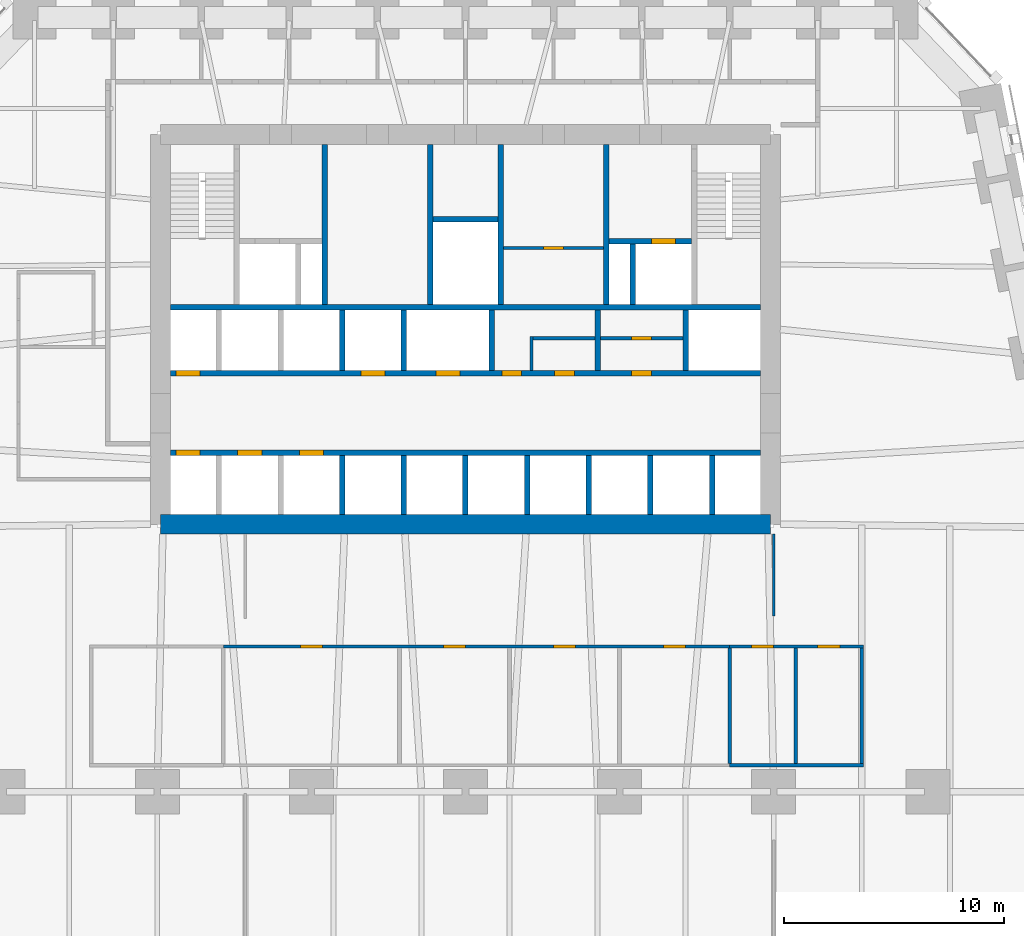
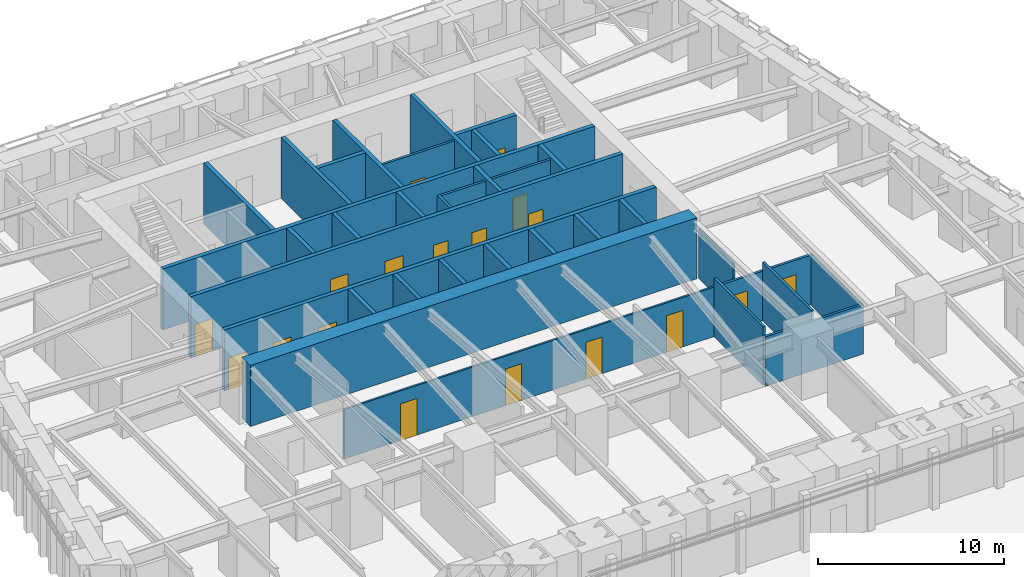
# One storey, part 13 of 18: 34 walls, 18 doors, 18 openings.
"""IFC4 building model written with IfcOpenShell, lengths in metres."""

from ifc_helpers import new_model, si_unit, direction, frame, frame_2d, origin, place, context, subcontext, project, spatial, rectangle, extrude, material, layer, layer_set, type_object, element, fill, save


model = new_model("IFC4")

# Units and contexts
model_context = context("Model", 3, precision=1e-05, world=origin(), true_north=direction((0.0, 1.0)))
body_context = subcontext(model_context, "Body", "Model", "MODEL_VIEW")
ifc_project = project(units=[si_unit("LENGTHUNIT", "METRE"), si_unit("AREAUNIT", "SQUARE_METRE"), si_unit("VOLUMEUNIT", "CUBIC_METRE"), si_unit("PLANEANGLEUNIT", "RADIAN"), si_unit("MASSUNIT", "GRAM", prefix="KILO")], contexts=[model_context])

# Site, building, storey
site_placement = place(None, origin())
site = spatial("IfcSite", under=ifc_project, at=site_placement, CompositionType="ELEMENT")
building_placement = place(site_placement, origin())
building = spatial("IfcBuilding", under=site, at=building_placement, Name="Isbrekke Arena Tower", CompositionType="ELEMENT")
storey_placement = place(building_placement, frame((0.0, 0.0, 28.0)))
storey = spatial("IfcBuildingStorey", under=building, at=storey_placement, Name="L04", CompositionType="ELEMENT", Elevation=28.0)

# Wall
ifc_material_1 = material(Name="Concrete B65 (C65/80)", Category="concrete")
ifc_layer_1 = layer(ifc_material_1, 0.89990234375)
ifc_layer_set_1 = layer_set([ifc_layer_1], Name="CW2 CORE WALL 900")
wall_type_1 = type_object("IfcWallType", Name="CW2 CORE WALL 900", PredefinedType="SHEAR", material=ifc_layer_set_1)
wall_1_placement = place(storey_placement, frame((-13.85009765625, 6.14990234375, 0.0), z_axis=(0.0, 0.0, 1.0), x_axis=(1.0, 0.0, 0.0)))
element("IfcWall", 1, at=wall_1_placement, inside=storey, type_object=wall_type_1, Name="Core wall S L04", PredefinedType="SHEAR", context=body_context, shape_type="SweptSolid", body=[
    extrude(rectangle(XDim=27.7001953125, YDim=0.89990234375, at=frame_2d((13.85009765625, 0.0))), origin(), (0.0, 0.0, 1.0), 4.0),
])

# Wall, openings, doors
ifc_material_2 = material(Name="Concrete B45 (C45/55)", Category="concrete")
ifc_layer_2 = layer(ifc_material_2, 0.25)
ifc_layer_set_2 = layer_set([ifc_layer_2], Name="CW6 SHAFT WALL 250")
wall_type_2 = type_object("IfcWallType", Name="CW6 SHAFT WALL 250", PredefinedType="SHEAR", material=ifc_layer_set_2)
wall_2_placement = place(storey_placement, frame((-13.39990234375, 9.39990234375, 0.0), z_axis=(0.0, 0.0, 1.0), x_axis=(1.0, 0.0, 0.0)))
wall_2 = element("IfcWall", 2, at=wall_2_placement, inside=storey, type_object=wall_type_2, Name="Core wall LS L04", PredefinedType="SHEAR", context=body_context, shape_type="SweptSolid", body=[
    extrude(rectangle(XDim=26.7998046875, YDim=0.25, at=frame_2d((13.39990234375, 0.0))), origin(), (0.0, 0.0, 1.0), 4.0),
])
opening_1_placement = place(wall_2_placement, frame((0.25, 0.0, 0.0)))
opening_1 = element("IfcOpeningElement", 3, at=opening_1_placement, cuts=wall_2, Name="Opening LD1", PredefinedType="OPENING", context=body_context, shape_type="SweptSolid", body=[
    extrude(rectangle(XDim=1.10009765625, YDim=2.10009765625, at=frame_2d((0.550048828125, 1.050048828125))), frame((0.0, 0.139892578125, 0.0), z_axis=(0.0, -1.0, 0.0), x_axis=(1.0, 0.0, 0.0)), (0.0, 0.0, 1.0), 0.27978515625),
])
opening_2_placement = place(wall_2_placement, frame((3.050048828125, 0.0, 0.0)))
opening_2 = element("IfcOpeningElement", 4, at=opening_2_placement, cuts=wall_2, Name="Opening LD1", PredefinedType="OPENING", context=body_context, shape_type="SweptSolid", body=[
    extrude(rectangle(XDim=1.10009765625, YDim=2.10009765625, at=frame_2d((0.550048828125, 1.050048828125))), frame((0.0, 0.139892578125, 0.0), z_axis=(0.0, -1.0, 0.0), x_axis=(1.0, 0.0, 0.0)), (0.0, 0.0, 1.0), 0.27978515625),
])
opening_3_placement = place(wall_2_placement, frame((5.85009765625, 0.0, 0.0)))
opening_3 = element("IfcOpeningElement", 5, at=opening_3_placement, cuts=wall_2, Name="Opening LD1", PredefinedType="OPENING", context=body_context, shape_type="SweptSolid", body=[
    extrude(rectangle(XDim=1.10009765625, YDim=2.10009765625, at=frame_2d((0.550048828125, 1.050048828125))), frame((0.0, 0.139892578125, 0.0), z_axis=(0.0, -1.0, 0.0), x_axis=(1.0, 0.0, 0.0)), (0.0, 0.0, 1.0), 0.27978515625),
])
ifc_material_3 = material(Name="Stainless steel lift landing door", Category="steel")
door_type_1 = type_object("IfcDoorType", Name="LD1 LIFT LANDING DOOR 1100 x 2100", OperationType="SLIDING_TO_LEFT", PredefinedType="DOOR", material=ifc_material_3)
door_1_placement = place(opening_1_placement, origin())
door_1 = element("IfcDoor", 6, at=door_1_placement, inside=storey, type_object=door_type_1, Name="LD1 lift landing door LA L04", OperationType="SLIDING_TO_LEFT", OverallHeight=2.10009765625, OverallWidth=1.10009765625, PredefinedType="DOOR", context=body_context, shape_type="SweptSolid", body=[
    extrude(rectangle(XDim=1.10009765625, YDim=2.10009765625, at=frame_2d((0.550048828125, 1.050048828125))), frame((0.0, 0.124755859375, 0.0), z_axis=(0.0, -1.0, 0.0), x_axis=(1.0, 0.0, 0.0)), (0.0, 0.0, 1.0), 0.24951171875),
])
fill(opening_1, door_1)
door_2_placement = place(opening_2_placement, origin())
door_2 = element("IfcDoor", 7, at=door_2_placement, inside=storey, type_object=door_type_1, Name="LD1 lift landing door LA L04", OperationType="SLIDING_TO_LEFT", OverallHeight=2.10009765625, OverallWidth=1.10009765625, PredefinedType="DOOR", context=body_context, shape_type="SweptSolid", body=[
    extrude(rectangle(XDim=1.10009765625, YDim=2.10009765625, at=frame_2d((0.550048828125, 1.050048828125))), frame((0.0, 0.124755859375, 0.0), z_axis=(0.0, -1.0, 0.0), x_axis=(1.0, 0.0, 0.0)), (0.0, 0.0, 1.0), 0.24951171875),
])
fill(opening_2, door_2)
door_3_placement = place(opening_3_placement, origin())
door_3 = element("IfcDoor", 8, at=door_3_placement, inside=storey, type_object=door_type_1, Name="LD1 lift landing door LA L04", OperationType="SLIDING_TO_LEFT", OverallHeight=2.10009765625, OverallWidth=1.10009765625, PredefinedType="DOOR", context=body_context, shape_type="SweptSolid", body=[
    extrude(rectangle(XDim=1.10009765625, YDim=2.10009765625, at=frame_2d((0.550048828125, 1.050048828125))), frame((0.0, 0.124755859375, 0.0), z_axis=(0.0, -1.0, 0.0), x_axis=(1.0, 0.0, 0.0)), (0.0, 0.0, 1.0), 0.24951171875),
])
fill(opening_3, door_3)

wall_3_placement = place(storey_placement, frame((-13.39990234375, 13.0, 0.0), z_axis=(0.0, 0.0, 1.0), x_axis=(1.0, 0.0, 0.0)))
wall_3 = element("IfcWall", 9, at=wall_3_placement, inside=storey, type_object=wall_type_2, Name="Core wall LN L04", PredefinedType="SHEAR", context=body_context, shape_type="SweptSolid", body=[
    extrude(rectangle(XDim=26.7998046875, YDim=0.25, at=frame_2d((13.39990234375, 0.0))), origin(), (0.0, 0.0, 1.0), 4.0),
])
opening_4_placement = place(wall_3_placement, frame((0.25, 0.0, 0.0)))
opening_4 = element("IfcOpeningElement", 10, at=opening_4_placement, cuts=wall_3, Name="Opening LD1", PredefinedType="OPENING", context=body_context, shape_type="SweptSolid", body=[
    extrude(rectangle(XDim=1.10009765625, YDim=2.10009765625, at=frame_2d((0.550048828125, 1.050048828125))), frame((0.0, 0.139892578125, 0.0), z_axis=(0.0, -1.0, 0.0), x_axis=(1.0, 0.0, 0.0)), (0.0, 0.0, 1.0), 0.27978515625),
])
opening_5_placement = place(wall_3_placement, frame((8.64990234375, 0.0, 0.0)))
opening_5 = element("IfcOpeningElement", 11, at=opening_5_placement, cuts=wall_3, Name="Opening LD1", PredefinedType="OPENING", context=body_context, shape_type="SweptSolid", body=[
    extrude(rectangle(XDim=1.10009765625, YDim=2.10009765625, at=frame_2d((0.550048828125, 1.050048828125))), frame((0.0, 0.139892578125, 0.0), z_axis=(0.0, -1.0, 0.0), x_axis=(1.0, 0.0, 0.0)), (0.0, 0.0, 1.0), 0.27978515625),
])
opening_6_placement = place(wall_3_placement, frame((12.050048828125, 0.0, 0.0)))
opening_6 = element("IfcOpeningElement", 12, at=opening_6_placement, cuts=wall_3, Name="Opening LD1", PredefinedType="OPENING", context=body_context, shape_type="SweptSolid", body=[
    extrude(rectangle(XDim=1.10009765625, YDim=2.10009765625, at=frame_2d((0.550048828125, 1.050048828125))), frame((0.0, 0.139892578125, 0.0), z_axis=(0.0, -1.0, 0.0), x_axis=(1.0, 0.0, 0.0)), (0.0, 0.0, 1.0), 0.27978515625),
])
opening_7_placement = place(wall_3_placement, frame((15.050048828125, 0.0, 0.0)))
opening_7 = element("IfcOpeningElement", 13, at=opening_7_placement, cuts=wall_3, Name="Opening D5", PredefinedType="OPENING", context=body_context, shape_type="SweptSolid", body=[
    extrude(rectangle(XDim=0.89990234375, YDim=2.10009765625, at=frame_2d((0.449951171875, 1.050048828125))), frame((0.0, 0.139892578125, 0.0), z_axis=(0.0, -1.0, 0.0), x_axis=(1.0, 0.0, 0.0)), (0.0, 0.0, 1.0), 0.27978515625),
])
opening_8_placement = place(wall_3_placement, frame((17.449951171875, 0.0, 0.0)))
opening_8 = element("IfcOpeningElement", 14, at=opening_8_placement, cuts=wall_3, Name="Opening D5", PredefinedType="OPENING", context=body_context, shape_type="SweptSolid", body=[
    extrude(rectangle(XDim=0.89990234375, YDim=2.10009765625, at=frame_2d((0.449951171875, 1.050048828125))), frame((0.0, 0.139892578125, 0.0), z_axis=(0.0, -1.0, 0.0), x_axis=(1.0, 0.0, 0.0)), (0.0, 0.0, 1.0), 0.27978515625),
])
opening_9_placement = place(wall_3_placement, frame((20.949951171875, 0.0, 0.0)))
opening_9 = element("IfcOpeningElement", 15, at=opening_9_placement, cuts=wall_3, Name="Opening D5", PredefinedType="OPENING", context=body_context, shape_type="SweptSolid", body=[
    extrude(rectangle(XDim=0.89990234375, YDim=2.10009765625, at=frame_2d((0.449951171875, 1.050048828125))), frame((0.0, 0.139892578125, 0.0), z_axis=(0.0, -1.0, 0.0), x_axis=(1.0, 0.0, 0.0)), (0.0, 0.0, 1.0), 0.27978515625),
])
ifc_material_4 = material(Name="Steel fire door", Category="steel")
door_type_2 = type_object("IfcDoorType", Name="D5 SERVICE DOOR 900 x 2100", OperationType="SINGLE_SWING_LEFT", PredefinedType="DOOR", material=ifc_material_4)
door_4_placement = place(opening_7_placement, origin())
door_4 = element("IfcDoor", 16, at=door_4_placement, inside=storey, type_object=door_type_2, Name="D5 communications room door L04", OperationType="SINGLE_SWING_LEFT", OverallHeight=2.10009765625, OverallWidth=0.89990234375, PredefinedType="DOOR", context=body_context, shape_type="SweptSolid", body=[
    extrude(rectangle(XDim=0.89990234375, YDim=2.10009765625, at=frame_2d((0.449951171875, 1.050048828125))), frame((0.0, 0.124755859375, 0.0), z_axis=(0.0, -1.0, 0.0), x_axis=(1.0, 0.0, 0.0)), (0.0, 0.0, 1.0), 0.24951171875),
])
fill(opening_7, door_4)
door_5_placement = place(opening_8_placement, origin())
door_5 = element("IfcDoor", 17, at=door_5_placement, inside=storey, type_object=door_type_2, Name="D5 cleaner's store door L04", OperationType="SINGLE_SWING_LEFT", OverallHeight=2.10009765625, OverallWidth=0.89990234375, PredefinedType="DOOR", context=body_context, shape_type="SweptSolid", body=[
    extrude(rectangle(XDim=0.89990234375, YDim=2.10009765625, at=frame_2d((0.449951171875, 1.050048828125))), frame((0.0, 0.124755859375, 0.0), z_axis=(0.0, -1.0, 0.0), x_axis=(1.0, 0.0, 0.0)), (0.0, 0.0, 1.0), 0.24951171875),
])
fill(opening_8, door_5)
door_6_placement = place(opening_9_placement, origin())
door_6 = element("IfcDoor", 18, at=door_6_placement, inside=storey, type_object=door_type_2, Name="D5 print room door L04", OperationType="SINGLE_SWING_LEFT", OverallHeight=2.10009765625, OverallWidth=0.89990234375, PredefinedType="DOOR", context=body_context, shape_type="SweptSolid", body=[
    extrude(rectangle(XDim=0.89990234375, YDim=2.10009765625, at=frame_2d((0.449951171875, 1.050048828125))), frame((0.0, 0.124755859375, 0.0), z_axis=(0.0, -1.0, 0.0), x_axis=(1.0, 0.0, 0.0)), (0.0, 0.0, 1.0), 0.24951171875),
])
fill(opening_9, door_6)
door_7_placement = place(opening_4_placement, origin())
door_7 = element("IfcDoor", 19, at=door_7_placement, inside=storey, type_object=door_type_1, Name="LD1 lift landing door LA L04", OperationType="SLIDING_TO_LEFT", OverallHeight=2.10009765625, OverallWidth=1.10009765625, PredefinedType="DOOR", context=body_context, shape_type="SweptSolid", body=[
    extrude(rectangle(XDim=1.10009765625, YDim=2.10009765625, at=frame_2d((0.550048828125, 1.050048828125))), frame((0.0, 0.124755859375, 0.0), z_axis=(0.0, -1.0, 0.0), x_axis=(1.0, 0.0, 0.0)), (0.0, 0.0, 1.0), 0.24951171875),
])
fill(opening_4, door_7)
door_8_placement = place(opening_5_placement, origin())
door_8 = element("IfcDoor", 20, at=door_8_placement, inside=storey, type_object=door_type_1, Name="LD1 lift landing door LA L04", OperationType="SLIDING_TO_LEFT", OverallHeight=2.10009765625, OverallWidth=1.10009765625, PredefinedType="DOOR", context=body_context, shape_type="SweptSolid", body=[
    extrude(rectangle(XDim=1.10009765625, YDim=2.10009765625, at=frame_2d((0.550048828125, 1.050048828125))), frame((0.0, 0.124755859375, 0.0), z_axis=(0.0, -1.0, 0.0), x_axis=(1.0, 0.0, 0.0)), (0.0, 0.0, 1.0), 0.24951171875),
])
fill(opening_5, door_8)
door_9_placement = place(opening_6_placement, origin())
door_9 = element("IfcDoor", 21, at=door_9_placement, inside=storey, type_object=door_type_1, Name="LD1 lift landing door LA L04", OperationType="SLIDING_TO_LEFT", OverallHeight=2.10009765625, OverallWidth=1.10009765625, PredefinedType="DOOR", context=body_context, shape_type="SweptSolid", body=[
    extrude(rectangle(XDim=1.10009765625, YDim=2.10009765625, at=frame_2d((0.550048828125, 1.050048828125))), frame((0.0, 0.124755859375, 0.0), z_axis=(0.0, -1.0, 0.0), x_axis=(1.0, 0.0, 0.0)), (0.0, 0.0, 1.0), 0.24951171875),
])
fill(opening_6, door_9)

# Walls
wall_4_placement = place(storey_placement, frame((-13.39990234375, 16.0, 0.0), z_axis=(0.0, 0.0, 1.0), x_axis=(1.0, 0.0, 0.0)))
element("IfcWall", 22, at=wall_4_placement, inside=storey, type_object=wall_type_2, Name="Core wall NB L04", PredefinedType="SHEAR", context=body_context, shape_type="SweptSolid", body=[
    extrude(rectangle(XDim=26.7998046875, YDim=0.25, at=frame_2d((13.39990234375, 0.0))), origin(), (0.0, 0.0, 1.0), 4.0),
])
for number, where, z_axis, x_axis, name in (
    (23, (-5.60009765625, 6.60009765625, 0.0), (0.0, 0.0, 1.0), (0.0, 1.0, 0.0), "Core wall SS03 L04"),
    (24, (-2.800048828125, 6.60009765625, 0.0), (0.0, 0.0, 1.0), (0.0, 1.0, 0.0), "Core wall SS04 L04"),
    (25, (0.0, 6.60009765625, 0.0), (0.0, 0.0, 1.0), (0.0, 1.0, 0.0), "Core wall SS05 L04"),
    (26, (2.800048828125, 6.60009765625, 0.0), (0.0, 0.0, 1.0), (0.0, 1.0, 0.0), "Core wall SS06 L04"),
    (27, (5.60009765625, 6.60009765625, 0.0), (0.0, 0.0, 1.0), (0.0, 1.0, 0.0), "Core wall SS07 L04"),
    (28, (8.39990234375, 6.60009765625, 0.0), (0.0, 0.0, 1.0), (0.0, 1.0, 0.0), "Core wall SS08 L04"),
    (29, (11.199951171875, 6.60009765625, 0.0), (0.0, 0.0, 1.0), (0.0, 1.0, 0.0), "Core wall SS09 L04"),
):
    element("IfcWall", number, at=place(storey_placement, frame(where, z_axis=z_axis, x_axis=x_axis)), inside=storey, type_object=wall_type_2, Name=name, PredefinedType="SHEAR", context=body_context, shape_type="SweptSolid", body=[
        extrude(rectangle(XDim=2.6748046875, YDim=0.25, at=frame_2d((1.33740234375, 0.0))), origin(), (0.0, 0.0, 1.0), 4.0),
    ])
for number, where, z_axis, x_axis, name in (
    (30, (-5.60009765625, 13.125, 0.0), (0.0, 0.0, 1.0), (0.0, 1.0, 0.0), "Core wall SN03 L04"),
    (31, (-2.800048828125, 13.125, 0.0), (0.0, 0.0, 1.0), (0.0, 1.0, 0.0), "Core wall SN04 L04"),
    (32, (1.199951171875, 13.125, 0.0), (0.0, 0.0, 1.0), (0.0, 1.0, 0.0), "Core wall SN05 L04"),
    (33, (6.0, 13.125, 0.0), (0.0, 0.0, 1.0), (0.0, 1.0, 0.0), "Core wall SN06 L04"),
    (34, (10.0, 13.125, 0.0), (0.0, 0.0, 1.0), (0.0, 1.0, 0.0), "Core wall SN07 L04"),
):
    element("IfcWall", number, at=place(storey_placement, frame(where, z_axis=z_axis, x_axis=x_axis)), inside=storey, type_object=wall_type_2, Name=name, PredefinedType="SHEAR", context=body_context, shape_type="SweptSolid", body=[
        extrude(rectangle(XDim=2.75, YDim=0.25, at=frame_2d((1.375, 0.0))), origin(), (0.0, 0.0, 1.0), 4.0),
    ])
for number, where, z_axis, x_axis, name in (
    (35, (-6.39990234375, 16.125, 0.0), (0.0, 0.0, 1.0), (0.0, 1.0, 0.0), "Core wall NV02 L04"),
    (36, (-1.60009765625, 16.125, 0.0), (0.0, 0.0, 1.0), (0.0, 1.0, 0.0), "Core wall NV03 L04"),
    (37, (1.60009765625, 16.125, 0.0), (0.0, 0.0, 1.0), (0.0, 1.0, 0.0), "Core wall NV04 L04"),
    (38, (6.39990234375, 16.125, 0.0), (0.0, 0.0, 1.0), (0.0, 1.0, 0.0), "Core wall NV05 L04"),
):
    element("IfcWall", number, at=place(storey_placement, frame(where, z_axis=z_axis, x_axis=x_axis)), inside=storey, type_object=wall_type_2, Name=name, PredefinedType="SHEAR", context=body_context, shape_type="SweptSolid", body=[
        extrude(rectangle(XDim=7.27490234375, YDim=0.25, at=frame_2d((3.637451171875, 0.0))), origin(), (0.0, 0.0, 1.0), 4.0),
    ])

# Wall, opening, door
wall_5_placement = place(storey_placement, frame((6.52490234375, 19.0, 0.0), z_axis=(0.0, 0.0, 1.0), x_axis=(1.0, 0.0, 0.0)))
wall_5 = element("IfcWall", 39, at=wall_5_placement, inside=storey, type_object=wall_type_2, Name="Core wall NFE L04", PredefinedType="SHEAR", context=body_context, shape_type="SweptSolid", body=[
    extrude(rectangle(XDim=3.75, YDim=0.25, at=frame_2d((1.875, 0.0))), origin(), (0.0, 0.0, 1.0), 4.0),
])
opening_10_placement = place(wall_5_placement, frame((1.925048828125, 0.0, 0.0)))
opening_10 = element("IfcOpeningElement", 40, at=opening_10_placement, cuts=wall_5, Name="Opening LD2", PredefinedType="OPENING", context=body_context, shape_type="SweptSolid", body=[
    extrude(rectangle(XDim=1.10009765625, YDim=2.10009765625, at=frame_2d((0.550048828125, 1.050048828125))), frame((0.0, 0.139892578125, 0.0), z_axis=(0.0, -1.0, 0.0), x_axis=(1.0, 0.0, 0.0)), (0.0, 0.0, 1.0), 0.27978515625),
])
ifc_material_5 = material(Name="Stainless steel lift landing door", Category="steel")
door_type_3 = type_object("IfcDoorType", Name="LD2 FIRE-FIGHTING LIFT LANDING DOOR 1100 x 2100", OperationType="SLIDING_TO_RIGHT", PredefinedType="DOOR", material=ifc_material_5)
door_10_placement = place(opening_10_placement, origin())
door_10 = element("IfcDoor", 41, at=door_10_placement, inside=storey, type_object=door_type_3, Name="LD2 lift landing door LF L04", OperationType="SLIDING_TO_RIGHT", OverallHeight=2.10009765625, OverallWidth=1.10009765625, PredefinedType="DOOR", context=body_context, shape_type="SweptSolid", body=[
    extrude(rectangle(XDim=1.10009765625, YDim=2.10009765625, at=frame_2d((0.550048828125, 1.050048828125))), frame((0.0, 0.124755859375, 0.0), z_axis=(0.0, -1.0, 0.0), x_axis=(1.0, 0.0, 0.0)), (0.0, 0.0, 1.0), 0.24951171875),
])
fill(opening_10, door_10)

# Walls
wall_6_placement = place(storey_placement, frame((7.60009765625, 16.125, 0.0), z_axis=(0.0, 0.0, 1.0), x_axis=(0.0, 1.0, 0.0)))
element("IfcWall", 42, at=wall_6_placement, inside=storey, type_object=wall_type_2, Name="Core wall NFS2 L04", PredefinedType="SHEAR", context=body_context, shape_type="SweptSolid", body=[
    extrude(rectangle(XDim=2.75, YDim=0.25, at=frame_2d((1.375, 0.0))), origin(), (0.0, 0.0, 1.0), 4.0),
])
wall_7_placement = place(storey_placement, frame((-1.47509765625, 20.0, 0.0), z_axis=(0.0, 0.0, 1.0), x_axis=(1.0, 0.0, 0.0)))
element("IfcWall", 43, at=wall_7_placement, inside=storey, type_object=wall_type_2, Name="Core wall NWC L04", PredefinedType="SHEAR", context=body_context, shape_type="SweptSolid", body=[
    extrude(rectangle(XDim=2.9501953125, YDim=0.25, at=frame_2d((1.47509765625, 0.0))), origin(), (0.0, 0.0, 1.0), 4.0),
])
ifc_material_6 = material(Name="Gypsum board partition on steel studs", Category="steel")
ifc_layer_3 = layer(ifc_material_6, 0.14990234375)
ifc_layer_set_3 = layer_set([ifc_layer_3], Name="IW1 PARTITION 150")
wall_type_3 = type_object("IfcWallType", Name="IW1 PARTITION 150", PredefinedType="PARTITIONING", material=ifc_layer_set_3)
wall_8_placement = place(storey_placement, frame((12.0, -4.800048828125, 0.0), z_axis=(0.0, 0.0, 1.0), x_axis=(1.0, 0.0, 0.0)))
element("IfcWall", 44, at=wall_8_placement, inside=storey, type_object=wall_type_3, Name="IW1 partition 150 L04", PredefinedType="PARTITIONING", context=body_context, shape_type="SweptSolid", body=[
    extrude(rectangle(XDim=6.074951171875, YDim=0.14990234375, at=frame_2d((3.03759765625, 0.0))), origin(), (0.0, 0.0, 1.0), 3.25),
])

# Wall, openings, doors
wall_9_placement = place(storey_placement, frame((12.0, 0.60009765625, 0.0), z_axis=(0.0, 0.0, 1.0), x_axis=(1.0, 0.0, 0.0)))
wall_9 = element("IfcWall", 45, at=wall_9_placement, inside=storey, type_object=wall_type_3, Name="IW1 partition 150 L04", PredefinedType="PARTITIONING", context=body_context, shape_type="SweptSolid", body=[
    extrude(rectangle(XDim=6.074951171875, YDim=0.14990234375, at=frame_2d((3.03759765625, 0.0))), origin(), (0.0, 0.0, 1.0), 3.25),
])
opening_11_placement = place(wall_9_placement, frame((1.0, 0.0, 0.0)))
opening_11 = element("IfcOpeningElement", 46, at=opening_11_placement, cuts=wall_9, Name="Opening D10", PredefinedType="OPENING", context=body_context, shape_type="SweptSolid", body=[
    extrude(rectangle(XDim=1.0, YDim=2.300048828125, at=frame_2d((0.5, 1.14990234375))), frame((0.0, 0.08984375, 0.0), z_axis=(0.0, -1.0, 0.0), x_axis=(1.0, 0.0, 0.0)), (0.0, 0.0, 1.0), 0.1796875),
])
opening_12_placement = place(wall_9_placement, frame((4.0, 0.0, 0.0)))
opening_12 = element("IfcOpeningElement", 47, at=opening_12_placement, cuts=wall_9, Name="Opening D10", PredefinedType="OPENING", context=body_context, shape_type="SweptSolid", body=[
    extrude(rectangle(XDim=1.0, YDim=2.300048828125, at=frame_2d((0.5, 1.14990234375))), frame((0.0, 0.08984375, 0.0), z_axis=(0.0, -1.0, 0.0), x_axis=(1.0, 0.0, 0.0)), (0.0, 0.0, 1.0), 0.1796875),
])
ifc_material_7 = material(Name="Timber door", Category="wood")
door_type_4 = type_object("IfcDoorType", Name="D10 OFFICE DOOR 1000 x 2300", OperationType="SINGLE_SWING_LEFT", PredefinedType="DOOR", material=ifc_material_7)
door_11_placement = place(opening_11_placement, origin())
door_11 = element("IfcDoor", 48, at=door_11_placement, inside=storey, type_object=door_type_4, Name="D10 print room door L04", OperationType="SINGLE_SWING_LEFT", OverallHeight=2.300048828125, OverallWidth=1.0, PredefinedType="DOOR", context=body_context, shape_type="SweptSolid", body=[
    extrude(rectangle(XDim=1.0, YDim=2.300048828125, at=frame_2d((0.5, 1.14990234375))), frame((0.0, 0.07470703125, 0.0), z_axis=(0.0, -1.0, 0.0), x_axis=(1.0, 0.0, 0.0)), (0.0, 0.0, 1.0), 0.1494140625),
])
fill(opening_11, door_11)
door_12_placement = place(opening_12_placement, origin())
door_12 = element("IfcDoor", 49, at=door_12_placement, inside=storey, type_object=door_type_4, Name="D10 store door L04", OperationType="SINGLE_SWING_LEFT", OverallHeight=2.300048828125, OverallWidth=1.0, PredefinedType="DOOR", context=body_context, shape_type="SweptSolid", body=[
    extrude(rectangle(XDim=1.0, YDim=2.300048828125, at=frame_2d((0.5, 1.14990234375))), frame((0.0, 0.07470703125, 0.0), z_axis=(0.0, -1.0, 0.0), x_axis=(1.0, 0.0, 0.0)), (0.0, 0.0, 1.0), 0.1494140625),
])
fill(opening_12, door_12)

# Walls
for number, where, z_axis, x_axis, name in (
    (50, (12.0, -4.72509765625, 0.0), (0.0, 0.0, 1.0), (0.0, 1.0, 0.0), "IW1 partition 150 L04"),
    (51, (15.0, -4.72509765625, 0.0), (0.0, 0.0, 1.0), (0.0, 1.0, 0.0), "IW1 partition 150 L04"),
):
    element("IfcWall", number, at=place(storey_placement, frame(where, z_axis=z_axis, x_axis=x_axis)), inside=storey, type_object=wall_type_3, Name=name, PredefinedType="PARTITIONING", context=body_context, shape_type="SweptSolid", body=[
        extrude(rectangle(XDim=5.25, YDim=0.14990234375, at=frame_2d((2.625, 0.0))), origin(), (0.0, 0.0, 1.0), 3.85009765625),
    ])
wall_10_placement = place(storey_placement, frame((18.0, -4.72509765625, 0.0), z_axis=(0.0, 0.0, 1.0), x_axis=(0.0, 1.0, 0.0)))
element("IfcWall", 52, at=wall_10_placement, inside=storey, type_object=wall_type_3, Name="IW1 partition 150 L04", PredefinedType="PARTITIONING", context=body_context, shape_type="SweptSolid", body=[
    extrude(rectangle(XDim=5.25, YDim=0.14990234375, at=frame_2d((2.625, 0.0))), origin(), (0.0, 0.0, 1.0), 3.25),
])

# Wall, openings, doors
ifc_material_8 = material(Name="Frameless glazed partition, laminated acoustic glass", Category="glass")
ifc_layer_4 = layer(ifc_material_8, 0.1201171875)
ifc_layer_set_4 = layer_set([ifc_layer_4], Name="IW2 GLAZED PARTITION 120")
wall_type_4 = type_object("IfcWallType", Name="IW2 GLAZED PARTITION 120", PredefinedType="PARTITIONING", material=ifc_layer_set_4)
wall_11_placement = place(storey_placement, frame((-11.0, 0.60009765625, 0.0), z_axis=(0.0, 0.0, 1.0), x_axis=(1.0, 0.0, 0.0)))
wall_11 = element("IfcWall", 53, at=wall_11_placement, inside=storey, type_object=wall_type_4, Name="IW2 glazed partition 120 L04", PredefinedType="PARTITIONING", context=body_context, shape_type="SweptSolid", body=[
    extrude(rectangle(XDim=23.0, YDim=0.1201171875, at=frame_2d((11.5, 0.0))), origin(), (0.0, 0.0, 1.0), 3.25),
])
opening_13_placement = place(wall_11_placement, frame((3.5, 0.0, 0.0)))
opening_13 = element("IfcOpeningElement", 54, at=opening_13_placement, cuts=wall_11, Name="Opening D11", PredefinedType="OPENING", context=body_context, shape_type="SweptSolid", body=[
    extrude(rectangle(XDim=1.0, YDim=2.39990234375, at=frame_2d((0.5, 1.199951171875))), frame((0.0, 0.074951171875, 0.0), z_axis=(0.0, -1.0, 0.0), x_axis=(1.0, 0.0, 0.0)), (0.0, 0.0, 1.0), 0.14990234375),
])
opening_14_placement = place(wall_11_placement, frame((10.0, 0.0, 0.0)))
opening_14 = element("IfcOpeningElement", 55, at=opening_14_placement, cuts=wall_11, Name="Opening D11", PredefinedType="OPENING", context=body_context, shape_type="SweptSolid", body=[
    extrude(rectangle(XDim=1.0, YDim=2.39990234375, at=frame_2d((0.5, 1.199951171875))), frame((0.0, 0.074951171875, 0.0), z_axis=(0.0, -1.0, 0.0), x_axis=(1.0, 0.0, 0.0)), (0.0, 0.0, 1.0), 0.14990234375),
])
opening_15_placement = place(wall_11_placement, frame((15.0, 0.0, 0.0)))
opening_15 = element("IfcOpeningElement", 56, at=opening_15_placement, cuts=wall_11, Name="Opening D11", PredefinedType="OPENING", context=body_context, shape_type="SweptSolid", body=[
    extrude(rectangle(XDim=1.0, YDim=2.39990234375, at=frame_2d((0.5, 1.199951171875))), frame((0.0, 0.074951171875, 0.0), z_axis=(0.0, -1.0, 0.0), x_axis=(1.0, 0.0, 0.0)), (0.0, 0.0, 1.0), 0.14990234375),
])
opening_16_placement = place(wall_11_placement, frame((20.0, 0.0, 0.0)))
opening_16 = element("IfcOpeningElement", 57, at=opening_16_placement, cuts=wall_11, Name="Opening D11", PredefinedType="OPENING", context=body_context, shape_type="SweptSolid", body=[
    extrude(rectangle(XDim=1.0, YDim=2.39990234375, at=frame_2d((0.5, 1.199951171875))), frame((0.0, 0.074951171875, 0.0), z_axis=(0.0, -1.0, 0.0), x_axis=(1.0, 0.0, 0.0)), (0.0, 0.0, 1.0), 0.14990234375),
])
ifc_material_9 = material(Name="Frameless glazed door", Category="glass")
door_type_5 = type_object("IfcDoorType", Name="D11 GLAZED MEETING ROOM DOOR 1000 x 2400", OperationType="SINGLE_SWING_RIGHT", PredefinedType="DOOR", material=ifc_material_9)
door_13_placement = place(opening_13_placement, origin())
door_13 = element("IfcDoor", 58, at=door_13_placement, inside=storey, type_object=door_type_5, Name="D11 event planning room door L04", OperationType="SINGLE_SWING_RIGHT", OverallHeight=2.39990234375, OverallWidth=1.0, PredefinedType="DOOR", context=body_context, shape_type="SweptSolid", body=[
    extrude(rectangle(XDim=1.0, YDim=2.39990234375, at=frame_2d((0.5, 1.199951171875))), frame((0.0, 0.059814453125, 0.0), z_axis=(0.0, -1.0, 0.0), x_axis=(1.0, 0.0, 0.0)), (0.0, 0.0, 1.0), 0.11962890625),
])
fill(opening_13, door_13)
door_14_placement = place(opening_14_placement, origin())
door_14 = element("IfcDoor", 59, at=door_14_placement, inside=storey, type_object=door_type_5, Name="D11 meeting room door L04", OperationType="SINGLE_SWING_RIGHT", OverallHeight=2.39990234375, OverallWidth=1.0, PredefinedType="DOOR", context=body_context, shape_type="SweptSolid", body=[
    extrude(rectangle(XDim=1.0, YDim=2.39990234375, at=frame_2d((0.5, 1.199951171875))), frame((0.0, 0.059814453125, 0.0), z_axis=(0.0, -1.0, 0.0), x_axis=(1.0, 0.0, 0.0)), (0.0, 0.0, 1.0), 0.11962890625),
])
fill(opening_14, door_14)
door_15_placement = place(opening_15_placement, origin())
door_15 = element("IfcDoor", 60, at=door_15_placement, inside=storey, type_object=door_type_5, Name="D11 meeting room door L04", OperationType="SINGLE_SWING_RIGHT", OverallHeight=2.39990234375, OverallWidth=1.0, PredefinedType="DOOR", context=body_context, shape_type="SweptSolid", body=[
    extrude(rectangle(XDim=1.0, YDim=2.39990234375, at=frame_2d((0.5, 1.199951171875))), frame((0.0, 0.059814453125, 0.0), z_axis=(0.0, -1.0, 0.0), x_axis=(1.0, 0.0, 0.0)), (0.0, 0.0, 1.0), 0.11962890625),
])
fill(opening_15, door_15)
door_16_placement = place(opening_16_placement, origin())
door_16 = element("IfcDoor", 61, at=door_16_placement, inside=storey, type_object=door_type_5, Name="D11 meeting room door L04", OperationType="SINGLE_SWING_RIGHT", OverallHeight=2.39990234375, OverallWidth=1.0, PredefinedType="DOOR", context=body_context, shape_type="SweptSolid", body=[
    extrude(rectangle(XDim=1.0, YDim=2.39990234375, at=frame_2d((0.5, 1.199951171875))), frame((0.0, 0.059814453125, 0.0), z_axis=(0.0, -1.0, 0.0), x_axis=(1.0, 0.0, 0.0)), (0.0, 0.0, 1.0), 0.11962890625),
])
fill(opening_16, door_16)

# Wall
wall_12_placement = place(storey_placement, frame((14.0009765625, 1.97509765625, 0.0), z_axis=(0.0, 0.0, 1.0), x_axis=(0.0, 1.0, 0.0)))
element("IfcWall", 62, at=wall_12_placement, inside=storey, type_object=wall_type_4, Name="IW2 glazed partition 120 L04", PredefinedType="PARTITIONING", context=body_context, shape_type="SweptSolid", body=[
    extrude(rectangle(XDim=3.724853515625, YDim=0.1201171875, at=frame_2d((1.8623046875, 0.0))), origin(), (0.0, 0.0, 1.0), 3.25),
])

# Wall, opening, door
ifc_material_10 = material(Name="Gypsum board fire-rated partition on steel studs, two layers each side", Category="steel")
ifc_layer_5 = layer(ifc_material_10, 0.14990234375)
ifc_layer_set_5 = layer_set([ifc_layer_5], Name="IW5 FIRE-RATED PARTITION 150")
wall_type_5 = type_object("IfcWallType", Name="IW5 FIRE-RATED PARTITION 150", PredefinedType="PARTITIONING", material=ifc_layer_set_5)
wall_13_placement = place(storey_placement, frame((1.72509765625, 18.699951171875, 0.0), z_axis=(0.0, 0.0, 1.0), x_axis=(1.0, 0.0, 0.0)))
wall_13 = element("IfcWall", 63, at=wall_13_placement, inside=storey, type_object=wall_type_5, Name="IW5 fire-rated partition L04 cleaner's store M", PredefinedType="PARTITIONING", context=body_context, shape_type="SweptSolid", body=[
    extrude(rectangle(XDim=4.5498046875, YDim=0.14990234375, at=frame_2d((2.27490234375, 0.0))), origin(), (0.0, 0.0, 1.0), 3.85009765625),
])
opening_17_placement = place(wall_13_placement, frame((1.824951171875, 0.0, 0.0)))
opening_17 = element("IfcOpeningElement", 64, at=opening_17_placement, cuts=wall_13, Name="Opening D5", PredefinedType="OPENING", context=body_context, shape_type="SweptSolid", body=[
    extrude(rectangle(XDim=0.89990234375, YDim=2.10009765625, at=frame_2d((0.449951171875, 1.050048828125))), frame((0.0, 0.08984375, 0.0), z_axis=(0.0, -1.0, 0.0), x_axis=(1.0, 0.0, 0.0)), (0.0, 0.0, 1.0), 0.1796875),
])
door_17_placement = place(opening_17_placement, origin())
door_17 = element("IfcDoor", 65, at=door_17_placement, inside=storey, type_object=door_type_2, Name="D5 cleaner's store door L04", OperationType="SINGLE_SWING_LEFT", OverallHeight=2.10009765625, OverallWidth=0.89990234375, PredefinedType="DOOR", context=body_context, shape_type="SweptSolid", body=[
    extrude(rectangle(XDim=0.89990234375, YDim=2.10009765625, at=frame_2d((0.449951171875, 1.050048828125))), frame((0.0, 0.07470703125, 0.0), z_axis=(0.0, -1.0, 0.0), x_axis=(1.0, 0.0, 0.0)), (0.0, 0.0, 1.0), 0.1494140625),
])
fill(opening_17, door_17)

# Walls
wall_14_placement = place(storey_placement, frame((3.0, 13.125, 0.0), z_axis=(0.0, 0.0, 1.0), x_axis=(0.0, 1.0, 0.0)))
element("IfcWall", 66, at=wall_14_placement, inside=storey, type_object=wall_type_5, Name="IW5 fire-rated partition L04 core service rooms 1", PredefinedType="PARTITIONING", context=body_context, shape_type="SweptSolid", body=[
    extrude(rectangle(XDim=1.550048828125, YDim=0.14990234375, at=frame_2d((0.77490234375, 0.0))), origin(), (0.0, 0.0, 1.0), 3.85009765625),
])
wall_15_placement = place(storey_placement, frame((3.074951171875, 14.60009765625, 0.0), z_axis=(0.0, 0.0, 1.0), x_axis=(1.0, 0.0, 0.0)))
element("IfcWall", 67, at=wall_15_placement, inside=storey, type_object=wall_type_5, Name="IW5 fire-rated partition L04 core service rooms 2", PredefinedType="PARTITIONING", context=body_context, shape_type="SweptSolid", body=[
    extrude(rectangle(XDim=2.800048828125, YDim=0.14990234375, at=frame_2d((1.39990234375, 0.0))), origin(), (0.0, 0.0, 1.0), 3.85009765625),
])

# Wall, opening, door
wall_16_placement = place(storey_placement, frame((6.125, 14.60009765625, 0.0), z_axis=(0.0, 0.0, 1.0), x_axis=(1.0, 0.0, 0.0)))
wall_16 = element("IfcWall", 68, at=wall_16_placement, inside=storey, type_object=wall_type_5, Name="IW5 fire-rated partition L04 core service rooms 3", PredefinedType="PARTITIONING", context=body_context, shape_type="SweptSolid", body=[
    extrude(rectangle(XDim=3.75, YDim=0.14990234375, at=frame_2d((1.875, 0.0))), origin(), (0.0, 0.0, 1.0), 3.85009765625),
])
opening_18_placement = place(wall_16_placement, frame((1.425048828125, 0.0, 0.0)))
opening_18 = element("IfcOpeningElement", 69, at=opening_18_placement, cuts=wall_16, Name="Opening D5", PredefinedType="OPENING", context=body_context, shape_type="SweptSolid", body=[
    extrude(rectangle(XDim=0.89990234375, YDim=2.10009765625, at=frame_2d((0.449951171875, 1.050048828125))), frame((0.0, 0.08984375, 0.0), z_axis=(0.0, -1.0, 0.0), x_axis=(1.0, 0.0, 0.0)), (0.0, 0.0, 1.0), 0.1796875),
])
door_18_placement = place(opening_18_placement, origin())
door_18 = element("IfcDoor", 70, at=door_18_placement, inside=storey, type_object=door_type_2, Name="D5 tenant store door L04", OperationType="SINGLE_SWING_LEFT", OverallHeight=2.10009765625, OverallWidth=0.89990234375, PredefinedType="DOOR", context=body_context, shape_type="SweptSolid", body=[
    extrude(rectangle(XDim=0.89990234375, YDim=2.10009765625, at=frame_2d((0.449951171875, 1.050048828125))), frame((0.0, 0.07470703125, 0.0), z_axis=(0.0, -1.0, 0.0), x_axis=(1.0, 0.0, 0.0)), (0.0, 0.0, 1.0), 0.1494140625),
])
fill(opening_18, door_18)

save(model, "model.ifc")
